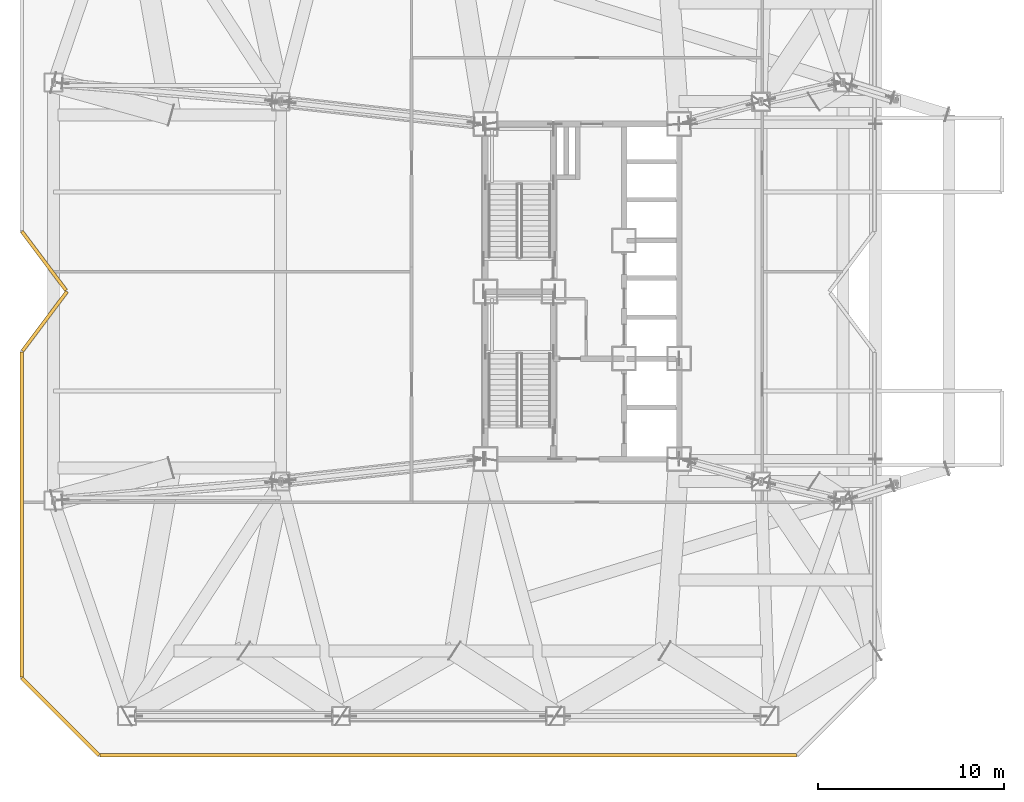
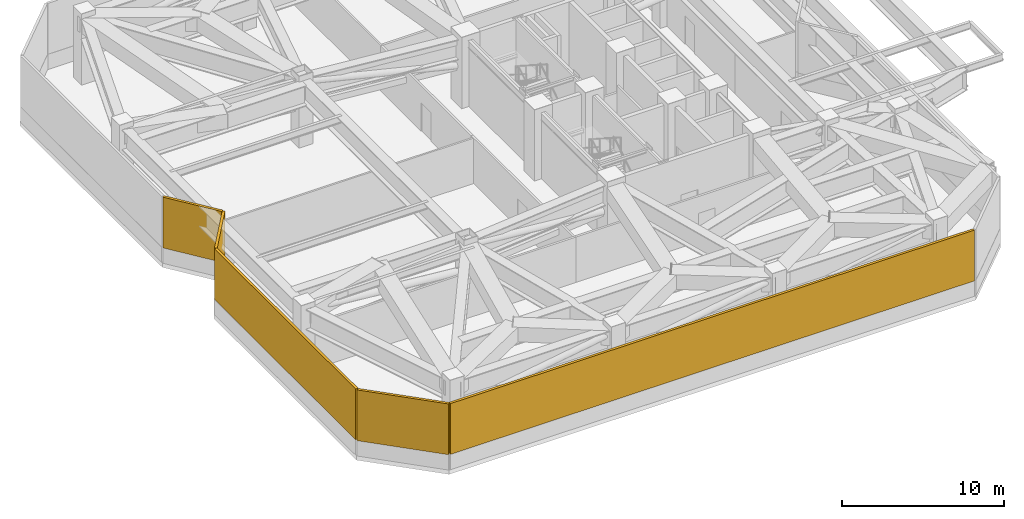
# One storey, part 16 of 18: 5 shading devices.
"""IFC4 building model written with IfcOpenShell, lengths in metres."""

from ifc_helpers import new_model, si_unit, direction, frame, origin, origin_2d, place, context, subcontext, project, spatial, rectangle, extrude, material, type_object, element, save


model = new_model("IFC4")

# Units and contexts
model_context = context("Model", 3, precision=1e-05, world=origin(), true_north=direction((0.0, 1.0)))
body_context = subcontext(model_context, "Body", "Model", "MODEL_VIEW")
ifc_project = project(units=[si_unit("LENGTHUNIT", "METRE"), si_unit("AREAUNIT", "SQUARE_METRE"), si_unit("VOLUMEUNIT", "CUBIC_METRE"), si_unit("PLANEANGLEUNIT", "RADIAN"), si_unit("MASSUNIT", "GRAM", prefix="KILO")], contexts=[model_context])

# Site, building, storey
site_placement = place(None, origin())
site = spatial("IfcSite", under=ifc_project, at=site_placement, CompositionType="ELEMENT")
building_placement = place(site_placement, origin())
building = spatial("IfcBuilding", under=site, at=building_placement, Name="Khamvora Tower", CompositionType="ELEMENT")
storey_placement = place(building_placement, frame((0.0, 0.0, 84.39990234375)))
storey = spatial("IfcBuildingStorey", under=building, at=storey_placement, Name="L21", CompositionType="ELEMENT", Elevation=84.39990234375)

# Shading devices
ifc_material = material(Name="Pale Anodised Aluminium 6063-T6", Category="aluminium")
shading_device_type = type_object("IfcShadingDeviceType", Name="SHD-LVR-150", PredefinedType="JALOUSIE", material=ifc_material)
shading_device_1_placement = place(storey_placement, frame((6.169921875, 5.169921875, 1.150146484375), z_axis=(0.0, 0.0, 1.0), x_axis=(-0.707106781187, 0.707106781187, 0.0)))
element("IfcShadingDevice", 1, at=shading_device_1_placement, inside=storey, type_object=shading_device_type, Name="L21 mechanical weather louvre 01.1", PredefinedType="JALOUSIE", context=body_context, shape_type="SweptSolid", body=[
    extrude(rectangle(XDim=5.85595703125, YDim=0.179931640625, at=origin_2d()), origin(), (0.0, 0.0, 1.0), 3.830078125),
])
shading_device_2_placement = place(storey_placement, frame((4.10009765625, 16.034912109375, 1.150146484375), z_axis=(0.0, 0.0, 1.0), x_axis=(0.0, 1.0, 0.0)))
element("IfcShadingDevice", 2, at=shading_device_2_placement, inside=storey, type_object=shading_device_type, Name="L21 mechanical weather louvre 02.1", PredefinedType="JALOUSIE", context=body_context, shape_type="SweptSolid", body=[
    extrude(rectangle(XDim=17.462890625, YDim=0.179931640625, at=origin_2d()), origin(), (0.0, 0.0, 1.0), 3.830078125),
])
shading_device_3_placement = place(storey_placement, frame((5.327880859375, 26.404052734375, 1.150146484375), z_axis=(0.0, 0.0, 1.0), x_axis=(0.600039589506, 0.79997030634, 0.0)))
element("IfcShadingDevice", 3, at=shading_device_3_placement, inside=storey, type_object=shading_device_type, Name="L21 mechanical weather louvre 03.1", PredefinedType="JALOUSIE", context=body_context, shape_type="SweptSolid", body=[
    extrude(rectangle(XDim=3.990966796875, YDim=0.179931640625, at=origin_2d()), origin(), (0.0, 0.0, 1.0), 3.830078125),
])
shading_device_4_placement = place(storey_placement, frame((5.287109375, 29.65087890625, 1.150146484375), z_axis=(0.0, 0.0, 1.0), x_axis=(-0.600039589506, 0.79997030634, 0.0)))
element("IfcShadingDevice", 4, at=shading_device_4_placement, inside=storey, type_object=shading_device_type, Name="L21 mechanical weather louvre 04.1", PredefinedType="JALOUSIE", context=body_context, shape_type="SweptSolid", body=[
    extrude(rectangle(XDim=3.955078125, YDim=0.179931640625, at=origin_2d()), origin(), (0.0, 0.0, 1.0), 3.830078125),
])
shading_device_5_placement = place(storey_placement, frame((26.9990234375, 3.10009765625, 1.150146484375), z_axis=(0.0, 0.0, 1.0), x_axis=(-1.0, 0.0, 0.0)))
element("IfcShadingDevice", 5, at=shading_device_5_placement, inside=storey, type_object=shading_device_type, Name="L21 mechanical weather louvre 14.1", PredefinedType="JALOUSIE", context=body_context, shape_type="SweptSolid", body=[
    extrude(rectangle(XDim=37.39306640625, YDim=0.179931640625, at=origin_2d()), origin(), (0.0, 0.0, 1.0), 3.830078125),
])

save(model, "model.ifc")
